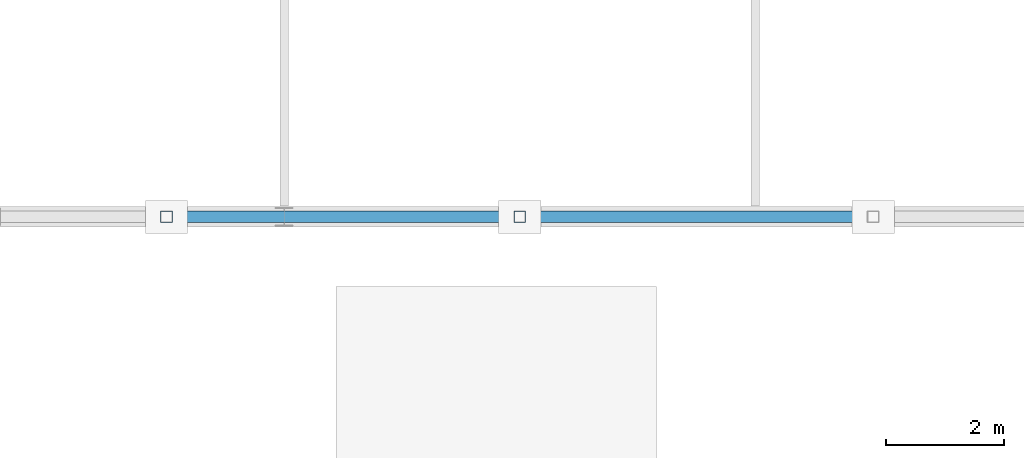
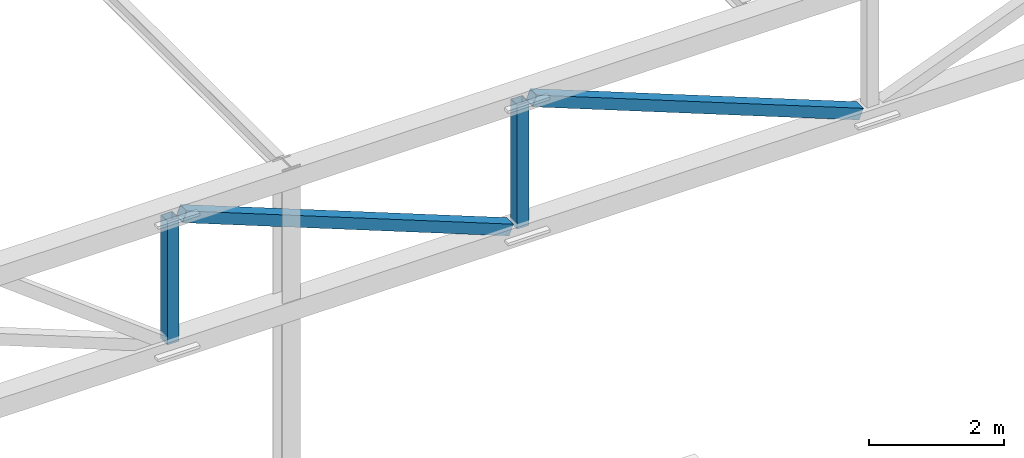
# One storey, part 47 of 122: 4 members.
"""IFC4 building model written with IfcOpenShell, lengths in metres."""

import ifcopenshell
import ifcopenshell.guid

model = None  # the IFC model being written
_history = None  # IfcOwnerHistory: only IFC2X3 demands one
_inside = {}  # id of a spatial element -> (the spatial element, [elements in it])
_under = {}  # id of a project, library or spatial element -> (it, [spatial elements below it])
_declared = {}  # id of a project -> (the project, [libraries it declares])
_typed = {}  # id of a type object -> (the type object, [elements of that type])
_made_of = {}  # id of a material, layer set ... -> (it, [elements and type objects made of it])


def new_model(schema):
    """Start an empty IFC model of exactly this schema.

    Asked for "IFC4X3", IfcOpenShell would pick the latest addendum, in which some entities
    have other attributes; the version numbers below select the first issue.
    IFC2X3 requires an IfcOwnerHistory on every rooted entity: one is made here for all.
    """
    global model, _history
    if schema == "IFC4X3":
        model = ifcopenshell.file(schema_version=(4, 3, 0, 0))
    else:
        model = ifcopenshell.file(schema=schema)
    _inside.clear()
    _under.clear()
    _declared.clear()
    _typed.clear()
    _made_of.clear()
    _history = None
    if model.schema == "IFC2X3":
        org = make("IfcOrganization", Name="unknown")
        user = make(
            "IfcPersonAndOrganization",
            ThePerson=make("IfcPerson", FamilyName="unknown"),
            TheOrganization=org,
        )
        app = make(
            "IfcApplication",
            ApplicationDeveloper=org,
            Version="unknown",
            ApplicationFullName="unknown",
            ApplicationIdentifier="unknown",
        )
        _history = make(
            "IfcOwnerHistory",
            OwningUser=user,
            OwningApplication=app,
            ChangeAction="ADDED",
            CreationDate=0,
        )
    return model


def make(cls, **values):
    """One entity of the class cls with the attributes given. An attribute that is None is left unset."""
    return model.create_entity(
        cls, **{name: value for name, value in values.items() if value is not None}
    )


def rooted(cls, **values):
    """An entity with a GlobalId (a new one), such as an element, a storey or a relation."""
    return make(cls, GlobalId=ifcopenshell.guid.new(), OwnerHistory=_history, **values)


def si_unit(unit_type, name, prefix=None):
    """IfcSIUnit, for example si_unit("LENGTHUNIT", "METRE", prefix="MILLI")."""
    return make("IfcSIUnit", UnitType=unit_type, Prefix=prefix, Name=name)


def assignment(units):
    """IfcUnitAssignment: the units of a project."""
    return None if units is None else make("IfcUnitAssignment", Units=units)


def point(xyz):
    """IfcCartesianPoint."""
    return None if xyz is None else make("IfcCartesianPoint", Coordinates=xyz)


def direction(xyz):
    """IfcDirection."""
    return None if xyz is None else make("IfcDirection", DirectionRatios=xyz)


def frame(location, z_axis=None, x_axis=None):
    """IfcAxis2Placement3D, a coordinate frame: its origin and axes. An axis left out is left unset."""
    return make(
        "IfcAxis2Placement3D",
        Location=point(location),
        Axis=direction(z_axis),
        RefDirection=direction(x_axis),
    )


def frame_2d(location, x_axis=None):
    """IfcAxis2Placement2D, a coordinate frame in the plane: its origin and x axis."""
    return make(
        "IfcAxis2Placement2D", Location=point(location), RefDirection=direction(x_axis)
    )


def origin():
    """The frame at (0, 0, 0) with its axes left unset."""
    return frame((0.0, 0.0, 0.0))


def origin_2d():
    """The frame at (0, 0) in the plane with its x axis left unset."""
    return frame_2d((0.0, 0.0))


def place(relative_to, where):
    """IfcLocalPlacement: puts the frame where relative to a parent placement (None: the world)."""
    return make(
        "IfcLocalPlacement", PlacementRelTo=relative_to, RelativePlacement=where
    )


def context(
    kind, dimensions, precision=None, world=None, true_north=None, identifier=None
):
    """IfcGeometricRepresentationContext, for example the 3D "Model" context."""
    return make(
        "IfcGeometricRepresentationContext",
        ContextIdentifier=identifier,
        ContextType=kind,
        CoordinateSpaceDimension=dimensions,
        Precision=precision,
        WorldCoordinateSystem=world,
        TrueNorth=true_north,
    )


def subcontext(parent, identifier, kind, view, scale=None):
    """IfcGeometricRepresentationSubContext, for example "Body" below "Model"."""
    return make(
        "IfcGeometricRepresentationSubContext",
        ContextIdentifier=identifier,
        ContextType=kind,
        ParentContext=parent,
        TargetScale=scale,
        TargetView=view,
    )


def project(units=None, contexts=None):
    """IfcProject with its units and contexts."""
    return rooted(
        "IfcProject",
        Name="project",
        RepresentationContexts=contexts,
        UnitsInContext=assignment(units),
    )


def spatial(cls, under=None, at=None, **own):
    """A site, building, storey or space (cls), placed at a placement, below another one or the project."""
    s = rooted(cls, ObjectPlacement=at, **own)
    if under is not None:
        _under.setdefault(under.id(), (under, []))[1].append(s)
    return s


def profile(cls, at=None, kind="AREA", **sizes):
    """A parametric profile (cls). Its sizes go by their IFC names, for example OverallWidth=200.0."""
    return make(cls, ProfileType=kind, Position=at, **sizes)


def hollow_rectangle(**sizes):
    """IfcRectangleHollowProfileDef."""
    return profile("IfcRectangleHollowProfileDef", **sizes)


def extrude(swept, where, along, depth):
    """IfcExtrudedAreaSolid: the profile swept, set in the frame where, extruded along a direction by depth."""
    return make(
        "IfcExtrudedAreaSolid",
        SweptArea=swept,
        Position=where,
        ExtrudedDirection=direction(along),
        Depth=depth,
    )


def shape(context_of_items, identifier, shape_type, items):
    """IfcShapeRepresentation: the items that make up one representation, for example the "Body"."""
    return make(
        "IfcShapeRepresentation",
        ContextOfItems=context_of_items,
        RepresentationIdentifier=identifier,
        RepresentationType=shape_type,
        Items=items,
    )


def material(Name=None, Category=None):
    """IfcMaterial."""
    return make("IfcMaterial", Name=Name, Category=Category)


def material_profile(
    of_material, cross_section, Name=None, Category=None, Priority=None
):
    """IfcMaterialProfile: a cross section and its material."""
    return make(
        "IfcMaterialProfile",
        Name=Name,
        Material=of_material,
        Profile=cross_section,
        Priority=Priority,
        Category=Category,
    )


def profile_set(profiles, Name=None, composite=None):
    """IfcMaterialProfileSet."""
    return make(
        "IfcMaterialProfileSet",
        Name=Name,
        MaterialProfiles=profiles,
        CompositeProfile=composite,
    )


def made_of(thing, what):
    """Note that an element or type object is made of a material, layer set ...; save() writes the relation."""
    if what is not None:
        _made_of.setdefault(what.id(), (what, []))[1].append(thing)
    return thing


def type_object(cls, material=None, **own):
    """A type object (cls), such as IfcWallType, which elements share."""
    return made_of(rooted(cls, **own), material)


def element(
    cls,
    number,
    at=None,
    inside=None,
    cuts=None,
    type_object=None,
    material=None,
    context=None,
    identifier="Body",
    shape_type=None,
    held_by="IfcProductDefinitionShape",
    body=None,
    shapes=None,
    **own,
):
    """One element of the class cls, such as IfcWall. Its Tag is "e" and its number.

    at: its placement. inside: the storey or other place that contains it. cuts: it is an
    opening in that element (IfcRelVoidsElement). A single representation is given by context,
    identifier, shape_type and body (its items); several are given by shapes. held_by: the class
    of the entity that holds the representations. save() writes the other relations.
    """
    e = rooted(cls, Tag="e%d" % number, ObjectPlacement=at, **own)
    if body is not None:
        shapes = [shape(context, identifier, shape_type, body)]
    if shapes is not None:
        e.Representation = make(held_by, Representations=shapes)
    if inside is not None:
        _inside.setdefault(inside.id(), (inside, []))[1].append(e)
    if cuts is not None:
        rooted(
            "IfcRelVoidsElement", RelatingBuildingElement=cuts, RelatedOpeningElement=e
        )
    if type_object is not None:
        _typed.setdefault(type_object.id(), (type_object, []))[1].append(e)
    return made_of(e, material)


def aggregate(whole, parts):
    """IfcRelAggregates: a whole, such as a stair, and the parts it consists of."""
    return rooted("IfcRelAggregates", RelatingObject=whole, RelatedObjects=parts)


def save(model, path):
    """Write the relations noted so far, then the file.

    IfcRelAggregates (storeys below a building ...), IfcRelContainedInSpatialStructure (elements
    in a storey), IfcRelDefinesByType, IfcRelAssociatesMaterial and IfcRelDeclares: one each for
    every whole, place, type object, material and project.
    """
    for whole, parts in _under.values():
        aggregate(whole, parts)
    for where, things in _inside.values():
        rooted(
            "IfcRelContainedInSpatialStructure",
            RelatedElements=things,
            RelatingStructure=where,
        )
    for kind, things in _typed.values():
        rooted("IfcRelDefinesByType", RelatedObjects=things, RelatingType=kind)
    for what, things in _made_of.values():
        rooted("IfcRelAssociatesMaterial", RelatedObjects=things, RelatingMaterial=what)
    for by, libraries in _declared.values():
        rooted("IfcRelDeclares", RelatingContext=by, RelatedDefinitions=libraries)
    model.write(path)


model = new_model("IFC4")

# Units and contexts
model_context = context("Model", 3, precision=1e-05, world=origin(), true_north=direction((0.0, 1.0)))
body_context = subcontext(model_context, "Body", "Model", "MODEL_VIEW")
ifc_project = project(units=[si_unit("LENGTHUNIT", "METRE"), si_unit("AREAUNIT", "SQUARE_METRE"), si_unit("VOLUMEUNIT", "CUBIC_METRE"), si_unit("PLANEANGLEUNIT", "RADIAN"), si_unit("MASSUNIT", "GRAM", prefix="KILO")], contexts=[model_context])

# Site, building, storey
site_placement = place(None, origin())
site = spatial("IfcSite", under=ifc_project, at=site_placement, CompositionType="ELEMENT")
building_placement = place(site_placement, origin())
building = spatial("IfcBuilding", under=site, at=building_placement, Name="Cuetzalor Civic Arena", CompositionType="ELEMENT")
storey_placement = place(building_placement, frame((0.0, 0.0, 16.199951171875)))
storey = spatial("IfcBuildingStorey", under=building, at=storey_placement, Name="L03", CompositionType="ELEMENT", Elevation=16.199951171875)

# Members
ifc_material = material(Name="Steel S355", Category="steel")
ifc_material_profile = material_profile(ifc_material, hollow_rectangle(XDim=0.199951171875, YDim=0.199951171875, WallThickness=0.010009765625, at=origin_2d()), Name="RHS 200x200x10")
ifc_profile_set = profile_set([ifc_material_profile], Name="Steel S355")
member_type = type_object("IfcMemberType", Name="PrattTrussWeb_RHS200", PredefinedType="STRUT", material=ifc_profile_set)
for number, where, z_axis, x_axis, name in (
    (1, (-65.800048828125, 48.300048828125, 5.5), (0.930756425373, 0.0, -0.365639818164), (0.0, 1.0, 0.0), "Practice Court Pratt Diagonal T1-2"),
    (2, (-59.800048828125, 48.300048828125, 5.5), (0.930756425373, 0.0, -0.365639818164), (0.0, 1.0, 0.0), "Practice Court Pratt Diagonal T1-3"),
):
    element("IfcMember", number, at=place(storey_placement, frame(where, z_axis=z_axis, x_axis=x_axis)), inside=storey, type_object=member_type, Name=name, PredefinedType="STRUT", context=body_context, shape_type="SweptSolid", body=[
        extrude(hollow_rectangle(XDim=0.199951171875, YDim=0.199951171875, WallThickness=0.010009765625, at=origin_2d()), origin(), (0.0, 0.0, 1.0), 6.0166015625),
    ])
for number, where, z_axis, x_axis, name in (
    (3, (-66.0, 48.300048828125, 3.280029296875), (0.0, 0.0, 1.0), (1.0, 0.0, 0.0), "Practice Court Pratt Vertical T1-1"),
    (4, (-60.0, 48.300048828125, 3.280029296875), (0.0, 0.0, 1.0), (1.0, 0.0, 0.0), "Practice Court Pratt Vertical T1-2"),
):
    element("IfcMember", number, at=place(storey_placement, frame(where, z_axis=z_axis, x_axis=x_axis)), inside=storey, type_object=member_type, Name=name, PredefinedType="STRUT", context=body_context, shape_type="SweptSolid", body=[
        extrude(hollow_rectangle(XDim=0.199951171875, YDim=0.199951171875, WallThickness=0.010009765625, at=origin_2d()), origin(), (0.0, 0.0, 1.0), 2.239990234375),
    ])

save(model, "model.ifc")
